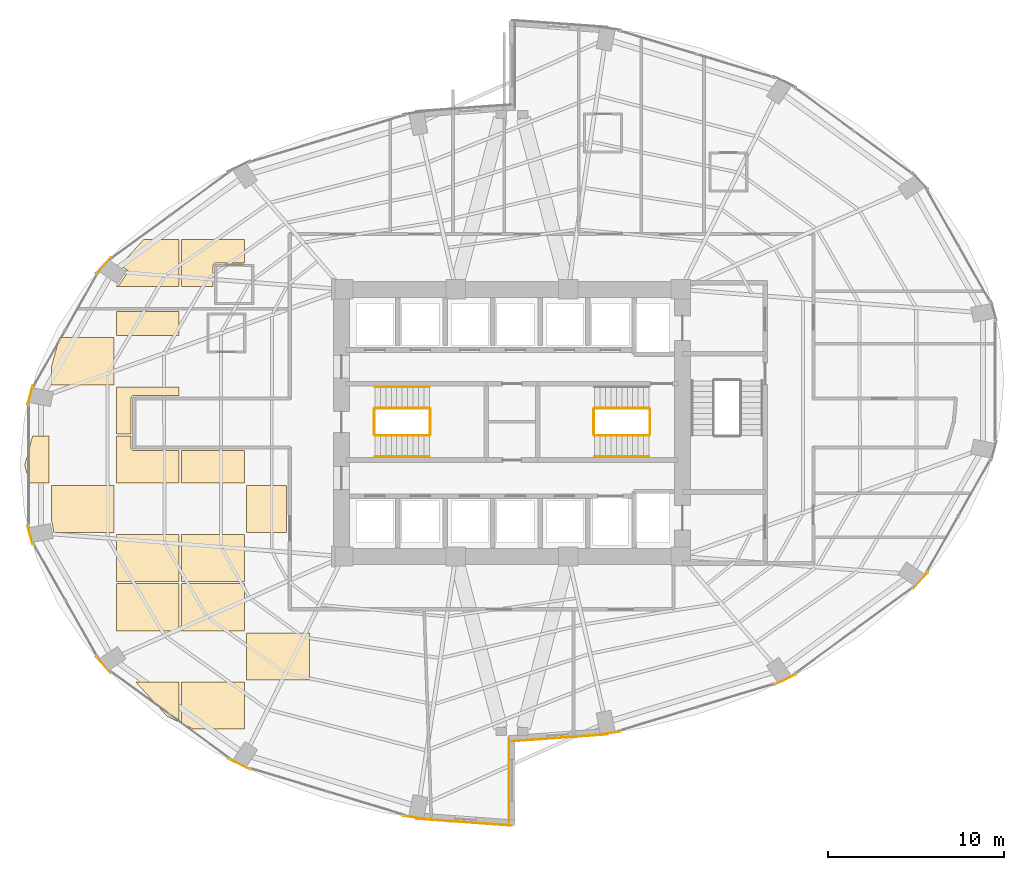
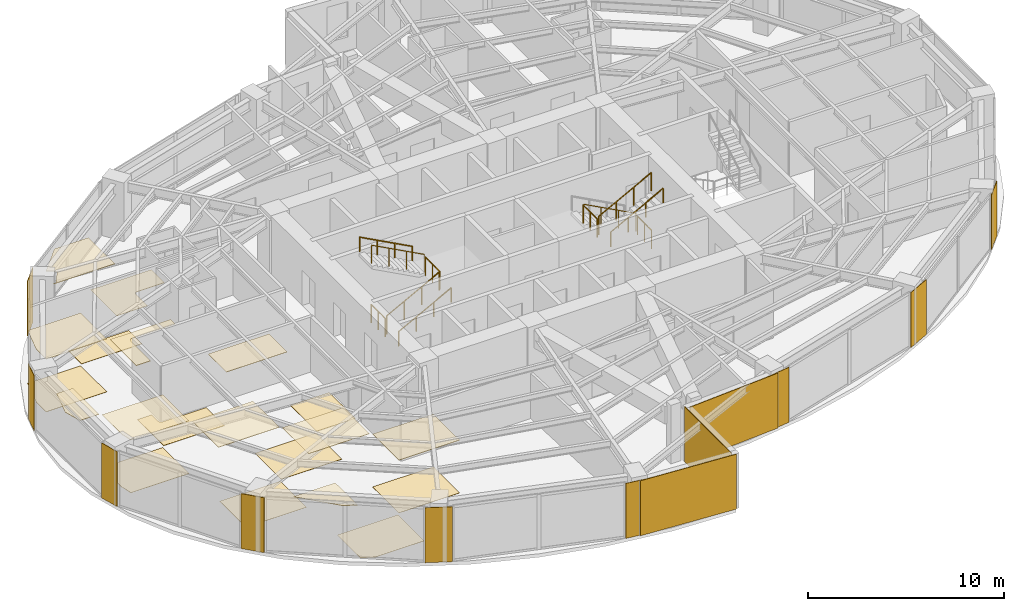
# One storey, part 23 of 24: 32 coverings, 11 railings.
"""IFC4 building model written with IfcOpenShell, lengths in metres."""

from ifc_helpers import new_model, si_unit, direction, frame, origin, origin_2d, place, context, subcontext, project, spatial, polyline, rectangle, circle, outline, extrude, material, layer, layer_set, type_object, element, save


model = new_model("IFC4")

# Units and contexts
model_context = context("Model", 3, precision=1e-05, world=origin(), true_north=direction((0.0, 1.0)))
body_context = subcontext(model_context, "Body", "Model", "MODEL_VIEW")
ifc_project = project(units=[si_unit("LENGTHUNIT", "METRE"), si_unit("AREAUNIT", "SQUARE_METRE"), si_unit("VOLUMEUNIT", "CUBIC_METRE"), si_unit("PLANEANGLEUNIT", "RADIAN"), si_unit("MASSUNIT", "GRAM", prefix="KILO")], contexts=[model_context])

# Site, building, storey
site_placement = place(None, origin())
site = spatial("IfcSite", under=ifc_project, at=site_placement, CompositionType="ELEMENT")
building_placement = place(site_placement, origin())
building = spatial("IfcBuilding", under=site, at=building_placement, Name="Lazwardi Medical Tower", CompositionType="ELEMENT")
storey_placement = place(building_placement, frame((0.0, 0.0, 54.384033203125)))
storey = spatial("IfcBuildingStorey", under=building, at=storey_placement, Name="L13", CompositionType="ELEMENT", Elevation=54.384033203125)

# Coverings
ifc_material_1 = material(Name="Anodised bronze aluminium cassette cladding", Category="aluminium")
ifc_layer_1 = layer(ifc_material_1, 0.030029296875)
ifc_layer_set_1 = layer_set([ifc_layer_1], Name="Anodised bronze aluminium cassette cladding")
covering_type_1 = type_object("IfcCoveringType", Name="COV-CLD-BRZ", PredefinedType="CLADDING", material=ifc_layer_set_1)
covering_1_placement = place(storey_placement, frame((41.454345703125, 10.33251953125, 0.0), z_axis=(0.0, 0.0, 1.0), x_axis=(0.98957259946, 0.144034962415, 0.0)))
element("IfcCovering", 1, at=covering_1_placement, inside=storey, type_object=covering_type_1, Name="L13 Mega-column bronze cassette cover M01", PredefinedType="CLADDING", context=body_context, shape_type="SweptSolid", body=[
    extrude(rectangle(XDim=1.49951171875, YDim=0.030029296875, at=origin_2d()), origin(), (0.0, 0.0, 1.0), 3.427978515625),
])
covering_2_placement = place(storey_placement, frame((51.532470703125, 13.3876953125, 0.0), z_axis=(0.0, 0.0, 1.0), x_axis=(0.898334492373, 0.439312121178, 0.0)))
element("IfcCovering", 2, at=covering_2_placement, inside=storey, type_object=covering_type_1, Name="L13 Mega-column bronze cassette cover M02", PredefinedType="CLADDING", context=body_context, shape_type="SweptSolid", body=[
    extrude(rectangle(XDim=1.400390625, YDim=0.030029296875, at=origin_2d()), origin(), (0.0, 0.0, 1.0), 3.427978515625),
])
for number, where, z_axis, x_axis, name in (
    (3, (59.24609375, 19.03271484375, 0.0), (0.0, 0.0, 1.0), (0.674252120961, 0.738501237223, 0.0), "L13 Mega-column bronze cassette cover M03"),
    (4, (12.75390625, 36.96728515625, 0.0), (0.0, 0.0, 1.0), (-0.674252120961, -0.738501237223, 0.0), "L13 Mega-column bronze cassette cover M11"),
):
    element("IfcCovering", number, at=place(storey_placement, frame(where, z_axis=z_axis, x_axis=x_axis)), inside=storey, type_object=covering_type_1, Name=name, PredefinedType="CLADDING", context=body_context, shape_type="SweptSolid", body=[
        extrude(rectangle(XDim=1.24658203125, YDim=0.030029296875, at=origin_2d()), origin(), (0.0, 0.0, 1.0), 3.427978515625),
    ])
for number, where, z_axis, x_axis, name in (
    (5, (8.579345703125, 29.591796875, 0.0), (0.0, 0.0, 1.0), (-0.262283496593, -0.964990863902, 0.0), "L13 Mega-column bronze cassette cover M12"),
    (6, (8.579345703125, 21.6083984375, 0.0), (0.0, 0.0, 1.0), (0.262283496593, -0.964990863902, 0.0), "L13 Mega-column bronze cassette cover M13"),
):
    element("IfcCovering", number, at=place(storey_placement, frame(where, z_axis=z_axis, x_axis=x_axis)), inside=storey, type_object=covering_type_1, Name=name, PredefinedType="CLADDING", context=body_context, shape_type="SweptSolid", body=[
        extrude(rectangle(XDim=1.12548828125, YDim=0.030029296875, at=origin_2d()), origin(), (0.0, 0.0, 1.0), 3.427978515625),
    ])
covering_3_placement = place(storey_placement, frame((12.75390625, 14.232666015625, 0.0), z_axis=(0.0, 0.0, 1.0), x_axis=(0.674252120961, -0.738501237223, 0.0)))
element("IfcCovering", 7, at=covering_3_placement, inside=storey, type_object=covering_type_1, Name="L13 Mega-column bronze cassette cover M14", PredefinedType="CLADDING", context=body_context, shape_type="SweptSolid", body=[
    extrude(rectangle(XDim=1.24658203125, YDim=0.030029296875, at=origin_2d()), origin(), (0.0, 0.0, 1.0), 3.427978515625),
])
covering_4_placement = place(storey_placement, frame((20.467529296875, 8.587646484375, 0.0), z_axis=(0.0, 0.0, 1.0), x_axis=(0.898334492373, -0.439312121178, 0.0)))
element("IfcCovering", 8, at=covering_4_placement, inside=storey, type_object=covering_type_1, Name="L13 Mega-column bronze cassette cover M15", PredefinedType="CLADDING", context=body_context, shape_type="SweptSolid", body=[
    extrude(rectangle(XDim=1.400390625, YDim=0.030029296875, at=origin_2d()), origin(), (0.0, 0.0, 1.0), 3.427978515625),
])
covering_5_placement = place(storey_placement, frame((30.545654296875, 5.53271484375, 0.0), z_axis=(0.0, 0.0, 1.0), x_axis=(0.98957259946, -0.144034962415, 0.0)))
element("IfcCovering", 9, at=covering_5_placement, inside=storey, type_object=covering_type_1, Name="L13 Mega-column bronze cassette cover M16", PredefinedType="CLADDING", context=body_context, shape_type="SweptSolid", body=[
    extrude(rectangle(XDim=1.49951171875, YDim=0.030029296875, at=origin_2d()), origin(), (0.0, 0.0, 1.0), 3.427978515625),
])
ifc_material_2 = material(Name="Turquoise glazed ceramic tilework cladding", Category="masonry")
ifc_layer_2 = layer(ifc_material_2, 0.034912109375)
ifc_layer_set_2 = layer_set([ifc_layer_2], Name="Turquoise glazed ceramic tilework cladding")
covering_type_2 = type_object("IfcCoveringType", Name="COV-CLD-TRQ", PredefinedType="CLADDING", material=ifc_layer_set_2)
covering_6_placement = place(storey_placement, frame((38.728271484375, 10.080322265625, 0.0), z_axis=(0.0, 0.0, 1.0), x_axis=(0.997421404513, 0.071767275412, 0.0)))
element("IfcCovering", 10, at=covering_6_placement, inside=storey, type_object=covering_type_2, Name="L13 Turquoise glazed ceramic tilework cladding", PredefinedType="CLADDING", context=body_context, shape_type="SweptSolid", body=[
    extrude(rectangle(XDim=5.4453125, YDim=0.034912109375, at=origin_2d()), origin(), (0.0, 0.0, 1.0), 3.427978515625),
])
covering_7_placement = place(storey_placement, frame((33.271484375, 5.280517578125, 0.0), z_axis=(0.0, 0.0, 1.0), x_axis=(0.997420903458, -0.071774238726, 0.0)))
element("IfcCovering", 11, at=covering_7_placement, inside=storey, type_object=covering_type_2, Name="L13 Turquoise glazed ceramic tilework cladding", PredefinedType="CLADDING", context=body_context, shape_type="SweptSolid", body=[
    extrude(rectangle(XDim=5.44482421875, YDim=0.034912109375, at=origin_2d()), origin(), (0.0, 0.0, 1.0), 3.427978515625),
])
covering_8_placement = place(storey_placement, frame((35.824462890625, 7.659912109375, 0.0), z_axis=(0.0, 0.0, 1.0), x_axis=(0.0, 1.0, 0.0)))
element("IfcCovering", 12, at=covering_8_placement, inside=storey, type_object=covering_type_2, Name="L13 Turquoise glazed ceramic tilework iwan panel", PredefinedType="CLADDING", context=body_context, shape_type="SweptSolid", body=[
    extrude(rectangle(XDim=4.800048828125, YDim=0.034912109375, at=origin_2d()), origin(), (0.0, 0.0, 1.0), 3.427978515625),
])
ifc_material_3 = material(Name="Acoustic mineral fibre tile")
ifc_layer_3 = layer(ifc_material_3, 0.02490234375)
ifc_layer_set_3 = layer_set([ifc_layer_3], Name="Acoustic mineral fibre tile")
covering_type_3 = type_object("IfcCoveringType", Name="COV-CLG-01", PredefinedType="CEILING", material=ifc_layer_set_3)
covering_9_placement = place(storey_placement, frame((0.0, 0.0, 3.282958984375)))
element("IfcCovering", 13, at=covering_9_placement, inside=storey, type_object=covering_type_3, Name="L13 Clinical Acoustic Ceiling 1", PredefinedType="CEILING", context=body_context, shape_type="SweptSolid", body=[
    extrude(outline(polyline([(8.712890625, 27.25244140625), (8.262939453125, 25.60009765625), (8.542724609375, 24.572509765625), (9.662841796875, 24.572509765625), (9.662841796875, 27.25244140625), (8.712890625, 27.25244140625)])), origin(), (0.0, 0.0, 1.0), 0.02490234375),
])
covering_10_placement = place(storey_placement, frame((0.0, 0.0, 3.282958984375)))
element("IfcCovering", 14, at=covering_10_placement, inside=storey, type_object=covering_type_3, Name="L13 Clinical Acoustic Ceiling 2", PredefinedType="CEILING", context=body_context, shape_type="SweptSolid", body=[
    extrude(outline(polyline([(9.782958984375, 22.369873046875), (9.789306640625, 22.365966796875), (9.79541015625, 22.361328125), (9.801513671875, 22.356201171875), (9.806640625, 22.350341796875), (9.811279296875, 22.343994140625), (9.8154296875, 22.337158203125), (9.818603515625, 22.330078125), (9.8212890625, 22.32275390625), (9.8232421875, 22.315185546875), (9.93115234375, 21.7724609375), (13.36279296875, 21.7724609375), (13.36279296875, 24.452392578125), (9.782958984375, 24.452392578125), (9.782958984375, 22.369873046875)])), origin(), (0.0, 0.0, 1.0), 0.02490234375),
])
covering_11_placement = place(storey_placement, frame((0.0, 0.0, 3.282958984375)))
element("IfcCovering", 15, at=covering_11_placement, inside=storey, type_object=covering_type_3, Name="L13 Clinical Acoustic Ceiling 3", PredefinedType="CEILING", context=body_context, shape_type="SweptSolid", body=[
    extrude(outline(polyline([(10.238037109375, 32.8525390625), (9.782958984375, 31.181396484375), (9.782958984375, 30.172607421875), (13.36279296875, 30.172607421875), (13.36279296875, 32.8525390625), (10.238037109375, 32.8525390625)])), origin(), (0.0, 0.0, 1.0), 0.02490234375),
])
covering_12_placement = place(storey_placement, frame((0.0, 0.0, 3.282958984375)))
element("IfcCovering", 16, at=covering_12_placement, inside=storey, type_object=covering_type_3, Name="L13 Clinical Acoustic Ceiling 4", PredefinedType="CEILING", context=body_context, shape_type="SweptSolid", body=[
    extrude(outline(polyline([(14.587890625, 13.25244140625), (16.377197265625, 11.296875), (17.06298828125, 10.962158203125), (17.06298828125, 13.25244140625), (14.587890625, 13.25244140625)])), origin(), (0.0, 0.0, 1.0), 0.02490234375),
])
covering_13_placement = place(storey_placement, frame((0.0, 0.0, 3.282958984375)))
element("IfcCovering", 17, at=covering_13_placement, inside=storey, type_object=covering_type_3, Name="L13 Clinical Acoustic Ceiling 5", PredefinedType="CEILING", context=body_context, shape_type="SweptSolid", body=[
    extrude(outline(polyline([(17.06298828125, 18.972412109375), (17.06298828125, 21.652587890625), (13.48291015625, 21.652587890625), (13.48291015625, 18.972412109375), (17.06298828125, 18.972412109375)])), origin(), (0.0, 0.0, 1.0), 0.02490234375),
])
covering_14_placement = place(storey_placement, frame((0.0, 0.0, 3.282958984375)))
element("IfcCovering", 18, at=covering_14_placement, inside=storey, type_object=covering_type_3, Name="L13 Clinical Acoustic Ceiling 6", PredefinedType="CEILING", context=body_context, shape_type="SweptSolid", body=[
    extrude(outline(polyline([(14.324951171875, 27.37255859375), (14.324951171875, 29.39990234375), (14.3251953125, 29.404296875), (14.32568359375, 29.41357421875), (14.326416015625, 29.42041015625), (14.32763671875, 29.4296875), (14.3291015625, 29.43798828125), (14.33154296875, 29.447265625), (14.33349609375, 29.4541015625), (14.336669921875, 29.462890625), (14.340087890625, 29.470703125), (14.343994140625, 29.479248046875), (14.34765625, 29.486083984375), (14.352294921875, 29.493896484375), (14.35693359375, 29.500732421875), (14.362548828125, 29.50830078125), (14.3671875, 29.513916015625), (14.373291015625, 29.520751953125), (14.37939453125, 29.526611328125), (14.38623046875, 29.532958984375), (14.391845703125, 29.53759765625), (14.3994140625, 29.543212890625), (14.406005859375, 29.547607421875), (14.4140625, 29.552490234375), (14.4208984375, 29.555908203125), (14.42919921875, 29.56005859375), (14.43701171875, 29.563232421875), (14.44580078125, 29.56640625), (14.452880859375, 29.568603515625), (14.4619140625, 29.57080078125), (14.47021484375, 29.572509765625), (14.4794921875, 29.57373046875), (14.486328125, 29.574462890625), (14.49560546875, 29.574951171875), (14.5, 29.574951171875), (17.06298828125, 29.574951171875), (17.06298828125, 30.052490234375), (13.48291015625, 30.052490234375), (13.48291015625, 27.37255859375), (14.324951171875, 27.37255859375)])), origin(), (0.0, 0.0, 1.0), 0.02490234375),
])
covering_15_placement = place(storey_placement, frame((0.0, 0.0, 3.282958984375)))
element("IfcCovering", 19, at=covering_15_placement, inside=storey, type_object=covering_type_3, Name="L13 Clinical Acoustic Ceiling 7", PredefinedType="CEILING", context=body_context, shape_type="SweptSolid", body=[
    extrude(outline(polyline([(15.0498046875, 38.452392578125), (13.69677734375, 36.97314453125), (14.11083984375, 36.696533203125), (14.1171875, 36.69189453125), (14.123046875, 36.6865234375), (14.128173828125, 36.6806640625), (14.1328125, 36.67431640625), (14.136962890625, 36.667724609375), (14.140380859375, 36.66064453125), (14.14306640625, 36.6533203125), (14.14501953125, 36.6455078125), (14.14599609375, 36.6376953125), (14.146484375, 36.6298828125), (14.14599609375, 36.622314453125), (14.14501953125, 36.614501953125), (14.14306640625, 36.606689453125), (14.140380859375, 36.599365234375), (14.136962890625, 36.59228515625), (14.1328125, 36.585693359375), (13.6328125, 35.83740234375), (13.628173828125, 35.830810546875), (13.623046875, 35.8251953125), (13.6171875, 35.81982421875), (13.61083984375, 35.815185546875), (13.60400390625, 35.81103515625), (13.596923828125, 35.807861328125), (13.589599609375, 35.80517578125), (13.58203125, 35.80322265625), (13.57421875, 35.802001953125), (13.56640625, 35.8017578125), (13.55859375, 35.802001953125), (13.55078125, 35.80322265625), (13.543212890625, 35.80517578125), (13.535888671875, 35.807861328125), (13.52880859375, 35.81103515625), (13.52197265625, 35.815185546875), (13.48291015625, 35.84130859375), (13.48291015625, 35.7724609375), (17.06298828125, 35.7724609375), (17.06298828125, 38.452392578125), (15.0498046875, 38.452392578125)])), origin(), (0.0, 0.0, 1.0), 0.02490234375),
])
covering_16_placement = place(storey_placement, frame((0.0, 0.0, 3.282958984375)))
element("IfcCovering", 20, at=covering_16_placement, inside=storey, type_object=covering_type_3, Name="L13 Clinical Acoustic Ceiling 8", PredefinedType="CEILING", context=body_context, shape_type="SweptSolid", body=[
    extrude(outline(polyline([(20.762939453125, 16.172607421875), (20.762939453125, 18.8525390625), (17.182861328125, 18.8525390625), (17.182861328125, 16.172607421875), (20.762939453125, 16.172607421875)])), origin(), (0.0, 0.0, 1.0), 0.02490234375),
])
covering_17_placement = place(storey_placement, frame((0.0, 0.0, 3.282958984375)))
element("IfcCovering", 21, at=covering_17_placement, inside=storey, type_object=covering_type_3, Name="L13 Clinical Acoustic Ceiling 9", PredefinedType="CEILING", context=body_context, shape_type="SweptSolid", body=[
    extrude(outline(polyline([(20.762939453125, 26.425048828125), (17.182861328125, 26.425048828125), (17.182861328125, 24.572509765625), (20.762939453125, 24.572509765625), (20.762939453125, 26.425048828125)])), origin(), (0.0, 0.0, 1.0), 0.02490234375),
])
covering_18_placement = place(storey_placement, frame((0.0, 0.0, 3.282958984375)))
element("IfcCovering", 22, at=covering_18_placement, inside=storey, type_object=covering_type_3, Name="L13 Clinical Acoustic Ceiling 10", PredefinedType="CEILING", context=body_context, shape_type="SweptSolid", body=[
    extrude(outline(polyline([(24.462890625, 13.37255859375), (24.462890625, 16.052490234375), (20.8828125, 16.052490234375), (20.8828125, 13.37255859375), (24.462890625, 13.37255859375)])), origin(), (0.0, 0.0, 1.0), 0.02490234375),
])
ifc_material_4 = material(Name="Anti-static hospital vinyl sheet flooring")
ifc_layer_4 = layer(ifc_material_4, 0.014892578125)
ifc_layer_set_4 = layer_set([ifc_layer_4], Name="Anti-static hospital vinyl sheet flooring")
covering_type_4 = type_object("IfcCoveringType", Name="COV-FLR-01", PredefinedType="FLOORING", material=ifc_layer_set_4)
covering_19_placement = place(storey_placement, origin())
element("IfcCovering", 23, at=covering_19_placement, inside=storey, type_object=covering_type_4, Name="L13 Clinical Vinyl Flooring 1", PredefinedType="FLOORING", context=body_context, shape_type="SweptSolid", body=[
    extrude(outline(polyline([(9.782958984375, 22.369873046875), (9.789306640625, 22.365966796875), (9.79541015625, 22.361328125), (9.801513671875, 22.356201171875), (9.806640625, 22.350341796875), (9.811279296875, 22.343994140625), (9.8154296875, 22.337158203125), (9.818603515625, 22.330078125), (9.8212890625, 22.32275390625), (9.8232421875, 22.315185546875), (9.93115234375, 21.7724609375), (13.36279296875, 21.7724609375), (13.36279296875, 24.452392578125), (9.782958984375, 24.452392578125), (9.782958984375, 22.369873046875)])), origin(), (0.0, 0.0, 1.0), 0.014892578125),
])
covering_20_placement = place(storey_placement, origin())
element("IfcCovering", 24, at=covering_20_placement, inside=storey, type_object=covering_type_4, Name="L13 Clinical Vinyl Flooring 2", PredefinedType="FLOORING", context=body_context, shape_type="SweptSolid", body=[
    extrude(outline(polyline([(10.238037109375, 32.8525390625), (9.782958984375, 31.181396484375), (9.782958984375, 30.172607421875), (13.36279296875, 30.172607421875), (13.36279296875, 32.8525390625), (10.238037109375, 32.8525390625)])), origin(), (0.0, 0.0, 1.0), 0.014892578125),
])
covering_21_placement = place(storey_placement, origin())
element("IfcCovering", 25, at=covering_21_placement, inside=storey, type_object=covering_type_4, Name="L13 Clinical Vinyl Flooring 3", PredefinedType="FLOORING", context=body_context, shape_type="SweptSolid", body=[
    extrude(outline(polyline([(17.06298828125, 16.172607421875), (17.06298828125, 18.8525390625), (13.48291015625, 18.8525390625), (13.48291015625, 16.172607421875), (17.06298828125, 16.172607421875)])), origin(), (0.0, 0.0, 1.0), 0.014892578125),
])
covering_22_placement = place(storey_placement, origin())
element("IfcCovering", 26, at=covering_22_placement, inside=storey, type_object=covering_type_4, Name="L13 Clinical Vinyl Flooring 4", PredefinedType="FLOORING", context=body_context, shape_type="SweptSolid", body=[
    extrude(outline(polyline([(17.06298828125, 26.425048828125), (14.5, 26.425048828125), (14.49560546875, 26.425048828125), (14.486328125, 26.425537109375), (14.4794921875, 26.42626953125), (14.47021484375, 26.427490234375), (14.4619140625, 26.42919921875), (14.452880859375, 26.431396484375), (14.44580078125, 26.43359375), (14.43701171875, 26.436767578125), (14.42919921875, 26.43994140625), (14.4208984375, 26.444091796875), (14.4140625, 26.447509765625), (14.406005859375, 26.452392578125), (14.3994140625, 26.456787109375), (14.391845703125, 26.46240234375), (14.38623046875, 26.467041015625), (14.37939453125, 26.473388671875), (14.373291015625, 26.479248046875), (14.3671875, 26.486083984375), (14.362548828125, 26.49169921875), (14.35693359375, 26.499267578125), (14.352294921875, 26.506103515625), (14.34765625, 26.513916015625), (14.343994140625, 26.520751953125), (14.340087890625, 26.529296875), (14.336669921875, 26.537109375), (14.33349609375, 26.5458984375), (14.33154296875, 26.552734375), (14.3291015625, 26.56201171875), (14.32763671875, 26.5703125), (14.326416015625, 26.57958984375), (14.32568359375, 26.58642578125), (14.3251953125, 26.595703125), (14.324951171875, 26.60009765625), (14.324951171875, 27.25244140625), (13.48291015625, 27.25244140625), (13.48291015625, 24.572509765625), (17.06298828125, 24.572509765625), (17.06298828125, 26.425048828125)])), origin(), (0.0, 0.0, 1.0), 0.014892578125),
])
covering_23_placement = place(storey_placement, origin())
element("IfcCovering", 27, at=covering_23_placement, inside=storey, type_object=covering_type_4, Name="L13 Clinical Vinyl Flooring 5", PredefinedType="FLOORING", context=body_context, shape_type="SweptSolid", body=[
    extrude(outline(polyline([(17.06298828125, 34.3349609375), (13.48291015625, 34.3349609375), (13.48291015625, 32.972412109375), (17.06298828125, 32.972412109375), (17.06298828125, 34.3349609375)])), origin(), (0.0, 0.0, 1.0), 0.014892578125),
])
covering_24_placement = place(storey_placement, origin())
element("IfcCovering", 28, at=covering_24_placement, inside=storey, type_object=covering_type_4, Name="L13 Clinical Vinyl Flooring 6", PredefinedType="FLOORING", context=body_context, shape_type="SweptSolid", body=[
    extrude(outline(polyline([(17.182861328125, 10.903564453125), (17.861083984375, 10.572509765625), (20.762939453125, 10.572509765625), (20.762939453125, 13.25244140625), (17.182861328125, 13.25244140625), (17.182861328125, 10.903564453125)])), origin(), (0.0, 0.0, 1.0), 0.014892578125),
])
covering_25_placement = place(storey_placement, origin())
element("IfcCovering", 29, at=covering_25_placement, inside=storey, type_object=covering_type_4, Name="L13 Clinical Vinyl Flooring 7", PredefinedType="FLOORING", context=body_context, shape_type="SweptSolid", body=[
    extrude(outline(polyline([(20.762939453125, 18.972412109375), (20.762939453125, 21.652587890625), (17.182861328125, 21.652587890625), (17.182861328125, 18.972412109375), (20.762939453125, 18.972412109375)])), origin(), (0.0, 0.0, 1.0), 0.014892578125),
])
covering_26_placement = place(storey_placement, origin())
element("IfcCovering", 30, at=covering_26_placement, inside=storey, type_object=covering_type_4, Name="L13 Clinical Vinyl Flooring 8", PredefinedType="FLOORING", context=body_context, shape_type="SweptSolid", body=[
    extrude(outline(polyline([(18.994384765625, 35.7724609375), (18.994384765625, 36.965087890625), (18.994384765625, 36.968505859375), (18.99462890625, 36.975341796875), (18.99560546875, 36.9833984375), (18.99658203125, 36.990234375), (18.998046875, 36.998779296875), (18.999755859375, 37.00537109375), (19.001953125, 37.011962890625), (19.004150390625, 37.0185546875), (19.007568359375, 37.026611328125), (19.010498046875, 37.03271484375), (19.013916015625, 37.038818359375), (19.017333984375, 37.044677734375), (19.02197265625, 37.0517578125), (19.026123046875, 37.05712890625), (19.03076171875, 37.06298828125), (19.035400390625, 37.068115234375), (19.041259765625, 37.073974609375), (19.04638671875, 37.07861328125), (19.052001953125, 37.083251953125), (19.0576171875, 37.08740234375), (19.064697265625, 37.092041015625), (19.070556640625, 37.095458984375), (19.076416015625, 37.0986328125), (19.082763671875, 37.101806640625), (19.0908203125, 37.10498046875), (19.097412109375, 37.107421875), (19.10400390625, 37.109619140625), (19.110595703125, 37.111083984375), (19.118896484375, 37.11279296875), (19.125732421875, 37.11376953125), (19.1337890625, 37.114501953125), (19.140869140625, 37.114990234375), (19.144287109375, 37.114990234375), (20.762939453125, 37.114990234375), (20.762939453125, 38.452392578125), (17.182861328125, 38.452392578125), (17.182861328125, 35.7724609375), (18.994384765625, 35.7724609375)])), origin(), (0.0, 0.0, 1.0), 0.014892578125),
])
covering_27_placement = place(storey_placement, origin())
element("IfcCovering", 31, at=covering_27_placement, inside=storey, type_object=covering_type_4, Name="L13 Clinical Vinyl Flooring 9", PredefinedType="FLOORING", context=body_context, shape_type="SweptSolid", body=[
    extrude(outline(polyline([(24.462890625, 13.37255859375), (24.462890625, 16.052490234375), (20.8828125, 16.052490234375), (20.8828125, 13.37255859375), (24.462890625, 13.37255859375)])), origin(), (0.0, 0.0, 1.0), 0.014892578125),
])
covering_28_placement = place(storey_placement, origin())
element("IfcCovering", 32, at=covering_28_placement, inside=storey, type_object=covering_type_4, Name="L13 Clinical Vinyl Flooring 10", PredefinedType="FLOORING", context=body_context, shape_type="SweptSolid", body=[
    extrude(outline(polyline([(23.175048828125, 21.7724609375), (23.175048828125, 24.452392578125), (20.8828125, 24.452392578125), (20.8828125, 21.7724609375), (23.175048828125, 21.7724609375)])), origin(), (0.0, 0.0, 1.0), 0.014892578125),
])

# Railings
ifc_material_5 = material(Name="Stainless steel Grade 316", Category="steel")
railing_type_1 = type_object("IfcRailingType", Name="RLG-GRD-1150", PredefinedType="GUARDRAIL", material=ifc_material_5)
railing_1_placement = place(storey_placement, frame((28.199951171875, 27.2900390625, 0.165771484375)))
element("IfcRailing", 33, at=railing_1_placement, inside=storey, type_object=railing_type_1, Name="L13 ST1 stair guard 1", PredefinedType="GUARDRAIL", context=body_context, shape_type="SweptSolid", body=[
    extrude(circle(Radius=0.02392578125, at=origin_2d()), frame((0.0, 0.0, 1.1259765625), z_axis=(0.881783298633, 0.0, 0.471654761719), x_axis=(0.0, 1.0, 0.0)), (0.0, 0.0, 1.0), 3.515625),
    extrude(circle(Radius=0.02099609375, at=origin_2d()), origin(), (0.0, 0.0, 1.0), 1.099853515625),
    extrude(circle(Radius=0.02099609375, at=origin_2d()), frame((1.033447265625, 0.0, 0.552734375)), (0.0, 0.0, 1.0), 1.099853515625),
    extrude(circle(Radius=0.02099609375, at=origin_2d()), frame((2.066650390625, 0.0, 1.10546875)), (0.0, 0.0, 1.0), 1.099853515625),
    extrude(circle(Radius=0.02099609375, at=origin_2d()), frame((3.10009765625, 0.0, 1.658203125)), (0.0, 0.0, 1.0), 1.099853515625),
])
railing_2_placement = place(storey_placement, frame((31.35009765625, 27.340087890625, 1.823974609375)))
element("IfcRailing", 34, at=railing_2_placement, inside=storey, type_object=railing_type_1, Name="L13 ST1 stair guard 2", PredefinedType="GUARDRAIL", context=body_context, shape_type="SweptSolid", body=[
    extrude(circle(Radius=0.02392578125, at=origin_2d()), frame((0.0, 0.0, 1.1259765625), z_axis=(0.0, 1.0, 0.0), x_axis=(-1.0, 0.0, 0.0)), (0.0, 0.0, 1.0), 1.43994140625),
    extrude(circle(Radius=0.02099609375, at=origin_2d()), origin(), (0.0, 0.0, 1.0), 1.099853515625),
    extrude(circle(Radius=0.02099609375, at=origin_2d()), frame((0.0, 0.719970703125, 0.0)), (0.0, 0.0, 1.0), 1.099853515625),
    extrude(circle(Radius=0.02099609375, at=origin_2d()), frame((0.0, 1.43994140625, 0.0)), (0.0, 0.0, 1.0), 1.099853515625),
])
railing_3_placement = place(storey_placement, frame((31.300048828125, 28.830078125, 1.98974609375)))
element("IfcRailing", 35, at=railing_3_placement, inside=storey, type_object=railing_type_1, Name="L13 ST1 stair guard 3", PredefinedType="GUARDRAIL", context=body_context, shape_type="SweptSolid", body=[
    extrude(circle(Radius=0.02392578125, at=origin_2d()), frame((0.0, 0.0, 1.1259765625), z_axis=(-0.881783298633, 0.0, 0.471654761719), x_axis=(0.0, -1.0, 0.0)), (0.0, 0.0, 1.0), 3.515625),
    extrude(circle(Radius=0.02099609375, at=origin_2d()), origin(), (0.0, 0.0, 1.0), 1.099853515625),
    extrude(circle(Radius=0.02099609375, at=origin_2d()), frame((-1.033447265625, 0.0, 0.552734375)), (0.0, 0.0, 1.0), 1.099853515625),
    extrude(circle(Radius=0.02099609375, at=origin_2d()), frame((-2.066650390625, 0.0, 1.10546875)), (0.0, 0.0, 1.0), 1.099853515625),
    extrude(circle(Radius=0.02099609375, at=origin_2d()), frame((-3.10009765625, 0.0, 1.658203125)), (0.0, 0.0, 1.0), 1.099853515625),
])
railing_4_placement = place(storey_placement, frame((28.14990234375, 27.340087890625, 0.0)))
element("IfcRailing", 36, at=railing_4_placement, inside=storey, type_object=railing_type_1, Name="L13 ST1 stair guard 4", PredefinedType="GUARDRAIL", context=body_context, shape_type="SweptSolid", body=[
    extrude(circle(Radius=0.02392578125, at=origin_2d()), frame((0.0, 0.0, 1.1259765625), z_axis=(0.0, 1.0, 0.0), x_axis=(-1.0, 0.0, 0.0)), (0.0, 0.0, 1.0), 1.43994140625),
    extrude(circle(Radius=0.02099609375, at=origin_2d()), origin(), (0.0, 0.0, 1.0), 1.099853515625),
    extrude(circle(Radius=0.02099609375, at=origin_2d()), frame((0.0, 0.719970703125, 0.0)), (0.0, 0.0, 1.0), 1.099853515625),
    extrude(circle(Radius=0.02099609375, at=origin_2d()), frame((0.0, 1.43994140625, 0.0)), (0.0, 0.0, 1.0), 1.099853515625),
])
railing_5_placement = place(storey_placement, frame((43.800048828125, 28.830078125, 0.165771484375)))
element("IfcRailing", 37, at=railing_5_placement, inside=storey, type_object=railing_type_1, Name="L13 ST2 stair guard 1", PredefinedType="GUARDRAIL", context=body_context, shape_type="SweptSolid", body=[
    extrude(circle(Radius=0.02392578125, at=origin_2d()), frame((0.0, 0.0, 1.1259765625), z_axis=(-0.881783298633, 0.0, 0.471654761719), x_axis=(0.0, -1.0, 0.0)), (0.0, 0.0, 1.0), 3.515625),
    extrude(circle(Radius=0.02099609375, at=origin_2d()), origin(), (0.0, 0.0, 1.0), 1.099853515625),
    extrude(circle(Radius=0.02099609375, at=origin_2d()), frame((-1.033447265625, 0.0, 0.552734375)), (0.0, 0.0, 1.0), 1.099853515625),
    extrude(circle(Radius=0.02099609375, at=origin_2d()), frame((-2.066650390625, 0.0, 1.10546875)), (0.0, 0.0, 1.0), 1.099853515625),
    extrude(circle(Radius=0.02099609375, at=origin_2d()), frame((-3.10009765625, 0.0, 1.658203125)), (0.0, 0.0, 1.0), 1.099853515625),
])
railing_6_placement = place(storey_placement, frame((40.64990234375, 28.780029296875, 1.823974609375)))
element("IfcRailing", 38, at=railing_6_placement, inside=storey, type_object=railing_type_1, Name="L13 ST2 stair guard 2", PredefinedType="GUARDRAIL", context=body_context, shape_type="SweptSolid", body=[
    extrude(circle(Radius=0.02392578125, at=origin_2d()), frame((0.0, 0.0, 1.1259765625), z_axis=(0.0, -1.0, 0.0), x_axis=(1.0, 0.0, 0.0)), (0.0, 0.0, 1.0), 1.43994140625),
    extrude(circle(Radius=0.02099609375, at=origin_2d()), origin(), (0.0, 0.0, 1.0), 1.099853515625),
    extrude(circle(Radius=0.02099609375, at=origin_2d()), frame((0.0, -0.719970703125, 0.0)), (0.0, 0.0, 1.0), 1.099853515625),
    extrude(circle(Radius=0.02099609375, at=origin_2d()), frame((0.0, -1.43994140625, 0.0)), (0.0, 0.0, 1.0), 1.099853515625),
])
railing_7_placement = place(storey_placement, frame((40.699951171875, 27.2900390625, 1.98974609375)))
element("IfcRailing", 39, at=railing_7_placement, inside=storey, type_object=railing_type_1, Name="L13 ST2 stair guard 3", PredefinedType="GUARDRAIL", context=body_context, shape_type="SweptSolid", body=[
    extrude(circle(Radius=0.02392578125, at=origin_2d()), frame((0.0, 0.0, 1.1259765625), z_axis=(0.881783298633, 0.0, 0.471654761719), x_axis=(0.0, 1.0, 0.0)), (0.0, 0.0, 1.0), 3.515625),
    extrude(circle(Radius=0.02099609375, at=origin_2d()), origin(), (0.0, 0.0, 1.0), 1.099853515625),
    extrude(circle(Radius=0.02099609375, at=origin_2d()), frame((1.033447265625, 0.0, 0.552734375)), (0.0, 0.0, 1.0), 1.099853515625),
    extrude(circle(Radius=0.02099609375, at=origin_2d()), frame((2.066650390625, 0.0, 1.10546875)), (0.0, 0.0, 1.0), 1.099853515625),
    extrude(circle(Radius=0.02099609375, at=origin_2d()), frame((3.10009765625, 0.0, 1.658203125)), (0.0, 0.0, 1.0), 1.099853515625),
])
railing_8_placement = place(storey_placement, frame((43.85009765625, 28.780029296875, 0.0)))
element("IfcRailing", 40, at=railing_8_placement, inside=storey, type_object=railing_type_1, Name="L13 ST2 stair guard 4", PredefinedType="GUARDRAIL", context=body_context, shape_type="SweptSolid", body=[
    extrude(circle(Radius=0.02392578125, at=origin_2d()), frame((0.0, 0.0, 1.1259765625), z_axis=(0.0, -1.0, 0.0), x_axis=(1.0, 0.0, 0.0)), (0.0, 0.0, 1.0), 1.43994140625),
    extrude(circle(Radius=0.02099609375, at=origin_2d()), origin(), (0.0, 0.0, 1.0), 1.099853515625),
    extrude(circle(Radius=0.02099609375, at=origin_2d()), frame((0.0, -0.719970703125, 0.0)), (0.0, 0.0, 1.0), 1.099853515625),
    extrude(circle(Radius=0.02099609375, at=origin_2d()), frame((0.0, -1.43994140625, 0.0)), (0.0, 0.0, 1.0), 1.099853515625),
])
railing_type_2 = type_object("IfcRailingType", Name="RLG-HND-920", PredefinedType="HANDRAIL", material=ifc_material_5)
railing_9_placement = place(storey_placement, frame((28.199951171875, 26.070068359375, 0.165771484375)))
element("IfcRailing", 41, at=railing_9_placement, inside=storey, type_object=railing_type_2, Name="L13 ST1 stair handrail 1", PredefinedType="HANDRAIL", context=body_context, shape_type="SweptSolid", body=[
    extrude(circle(Radius=0.02392578125, at=origin_2d()), frame((0.0, 0.0, 0.8857421875), z_axis=(0.881783298633, 0.0, 0.471654761719), x_axis=(0.0, 1.0, 0.0)), (0.0, 0.0, 1.0), 3.515625),
    extrude(circle(Radius=0.02099609375, at=origin_2d()), origin(), (0.0, 0.0, 1.0), 0.85986328125),
    extrude(circle(Radius=0.02099609375, at=origin_2d()), frame((1.033447265625, 0.0, 0.552734375)), (0.0, 0.0, 1.0), 0.85986328125),
    extrude(circle(Radius=0.02099609375, at=origin_2d()), frame((2.066650390625, 0.0, 1.10546875)), (0.0, 0.0, 1.0), 0.85986328125),
    extrude(circle(Radius=0.02099609375, at=origin_2d()), frame((3.10009765625, 0.0, 1.658203125)), (0.0, 0.0, 1.0), 0.85986328125),
])
railing_10_placement = place(storey_placement, frame((31.300048828125, 30.050048828125, 1.98974609375)))
element("IfcRailing", 42, at=railing_10_placement, inside=storey, type_object=railing_type_2, Name="L13 ST1 stair handrail 2", PredefinedType="HANDRAIL", context=body_context, shape_type="SweptSolid", body=[
    extrude(circle(Radius=0.02392578125, at=origin_2d()), frame((0.0, 0.0, 0.8857421875), z_axis=(-0.881783298633, 0.0, 0.471654761719), x_axis=(0.0, -1.0, 0.0)), (0.0, 0.0, 1.0), 3.515625),
    extrude(circle(Radius=0.02099609375, at=origin_2d()), origin(), (0.0, 0.0, 1.0), 0.85986328125),
    extrude(circle(Radius=0.02099609375, at=origin_2d()), frame((-1.033447265625, 0.0, 0.552734375)), (0.0, 0.0, 1.0), 0.85986328125),
    extrude(circle(Radius=0.02099609375, at=origin_2d()), frame((-2.066650390625, 0.0, 1.10546875)), (0.0, 0.0, 1.0), 0.85986328125),
    extrude(circle(Radius=0.02099609375, at=origin_2d()), frame((-3.10009765625, 0.0, 1.658203125)), (0.0, 0.0, 1.0), 0.85986328125),
])
railing_11_placement = place(storey_placement, frame((40.699951171875, 26.070068359375, 1.98974609375)))
element("IfcRailing", 43, at=railing_11_placement, inside=storey, type_object=railing_type_2, Name="L13 ST2 stair handrail 2", PredefinedType="HANDRAIL", context=body_context, shape_type="SweptSolid", body=[
    extrude(circle(Radius=0.02392578125, at=origin_2d()), frame((0.0, 0.0, 0.8857421875), z_axis=(0.881783298633, 0.0, 0.471654761719), x_axis=(0.0, 1.0, 0.0)), (0.0, 0.0, 1.0), 3.515625),
    extrude(circle(Radius=0.02099609375, at=origin_2d()), origin(), (0.0, 0.0, 1.0), 0.85986328125),
    extrude(circle(Radius=0.02099609375, at=origin_2d()), frame((1.033447265625, 0.0, 0.552734375)), (0.0, 0.0, 1.0), 0.85986328125),
    extrude(circle(Radius=0.02099609375, at=origin_2d()), frame((2.066650390625, 0.0, 1.10546875)), (0.0, 0.0, 1.0), 0.85986328125),
    extrude(circle(Radius=0.02099609375, at=origin_2d()), frame((3.10009765625, 0.0, 1.658203125)), (0.0, 0.0, 1.0), 0.85986328125),
])

save(model, "model.ifc")
